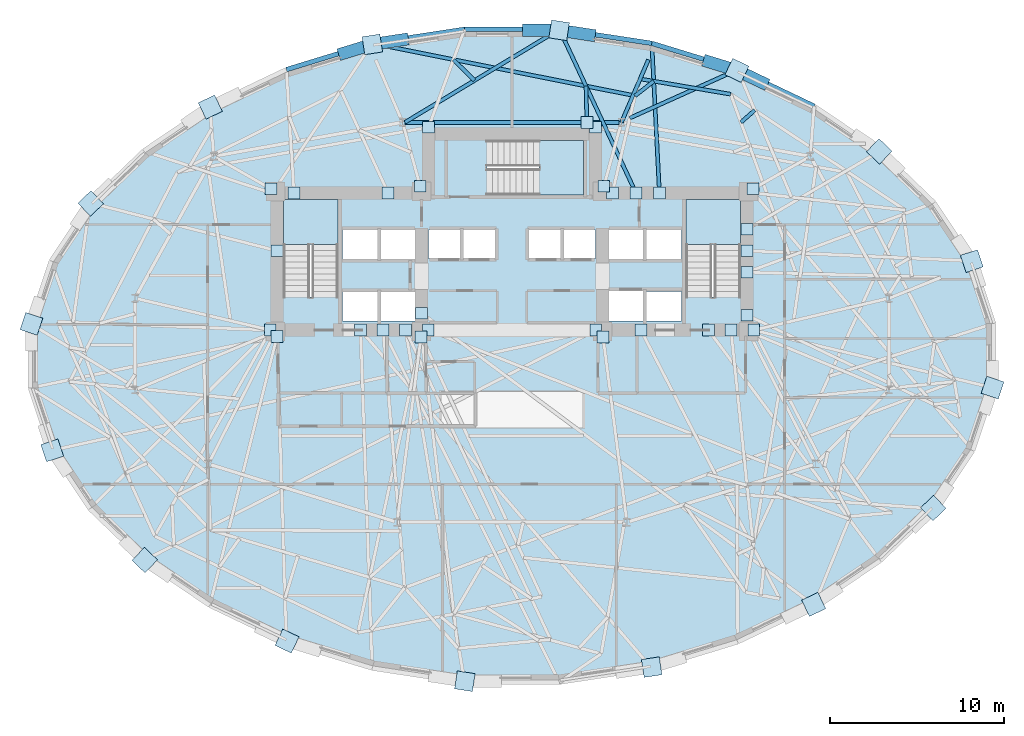
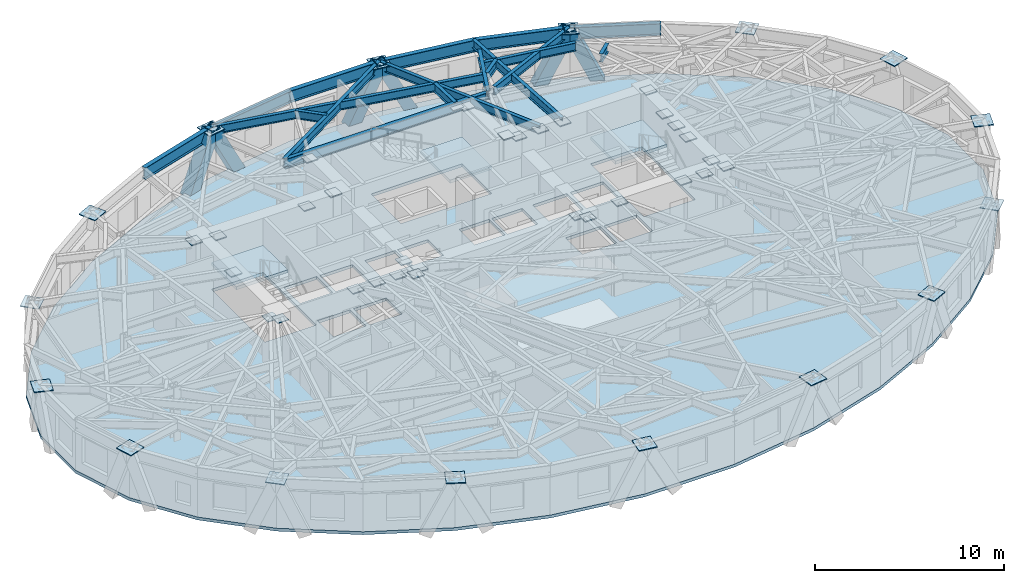
# One storey, part 5 of 14: 47 plates, 18 beams, 6 members, 4 slabs, 3 elements without a shape of their own.
"""IFC4 building model written with IfcOpenShell, lengths in metres."""

from ifc_helpers import new_model, si_unit, direction, frame, origin, origin_2d, place, context, subcontext, project, spatial, polyline, rectangle, hollow_rectangle, i_section, outline, extrude, material, layer, layer_set, material_profile, profile_set, type_object, element, aggregate, save


model = new_model("IFC4")

# Units and contexts
model_context = context("Model", 3, precision=1e-05, world=origin(), true_north=direction((0.0, 1.0)))
body_context = subcontext(model_context, "Body", "Model", "MODEL_VIEW")
ifc_project = project(units=[si_unit("LENGTHUNIT", "METRE"), si_unit("AREAUNIT", "SQUARE_METRE"), si_unit("VOLUMEUNIT", "CUBIC_METRE"), si_unit("PLANEANGLEUNIT", "RADIAN"), si_unit("MASSUNIT", "GRAM", prefix="KILO")], contexts=[model_context])

# Site, building, storey
site_placement = place(None, origin())
site = spatial("IfcSite", under=ifc_project, at=site_placement, CompositionType="ELEMENT")
building_placement = place(site_placement, origin())
building = spatial("IfcBuilding", under=site, at=building_placement, Name="Keldmark Tower", CompositionType="ELEMENT")
storey_placement = place(building_placement, frame((0.0, 0.0, 100.10009765625)))
storey = spatial("IfcBuildingStorey", under=building, at=storey_placement, Name="L26", CompositionType="ELEMENT", Elevation=100.10009765625)

# Members
ifc_material_1 = material(Name="Steel ASTM A572 Grade 50", Category="steel")
ifc_material_profile_1 = material_profile(ifc_material_1, hollow_rectangle(XDim=0.699951171875, YDim=0.699951171875, WallThickness=0.044921875, at=origin_2d()), Name="BOX700X700X45")
ifc_profile_set_1 = profile_set([ifc_material_profile_1], Name="Steel ASTM A572 Grade 50")
member_type = type_object("IfcMemberType", Name="Diagrid Zone 2 Brace BOX700X700X45", PredefinedType="BRACE", material=ifc_profile_set_1)
member_1_placement = place(storey_placement, frame((14.4150390625, 15.720458984375, -0.27001953125), z_axis=(-0.384014962148, 0.183387258279, 0.904931832984), x_axis=(-0.430935108563, -0.902382918836, 0.0)))
element("IfcMember", 1, at=member_1_placement, inside=storey, type_object=member_type, Name="L26 Perimeter Diagrid Brace 03A", PredefinedType="BRACE", context=body_context, shape_type="SweptSolid", body=[
    extrude(hollow_rectangle(XDim=0.699951171875, YDim=0.699951171875, WallThickness=0.044921875, at=origin_2d()), origin(), (0.0, 0.0, 1.0), 3.823486328125),
])
member_2_placement = place(storey_placement, frame((11.31005859375, 16.9189453125, -0.27001953125), z_axis=(0.426031471632, -0.13032368416, 0.89527254092), x_axis=(0.292521121678, 0.956259061851, 0.0)))
element("IfcMember", 2, at=member_2_placement, inside=storey, type_object=member_type, Name="L26 Perimeter Diagrid Brace 03B", PredefinedType="BRACE", context=body_context, shape_type="SweptSolid", body=[
    extrude(hollow_rectangle(XDim=0.699951171875, YDim=0.699951171875, WallThickness=0.044921875, at=origin_2d()), origin(), (0.0, 0.0, 1.0), 3.86474609375),
])
member_3_placement = place(storey_placement, frame((4.484375, 18.46142578125, -0.27001953125), z_axis=(-0.454742835075, 0.069170031679, 0.887932689265), x_axis=(-0.150378326098, -0.98862852429, 0.0)))
element("IfcMember", 3, at=member_3_placement, inside=storey, type_object=member_type, Name="L26 Perimeter Diagrid Brace 04A", PredefinedType="BRACE", context=body_context, shape_type="SweptSolid", body=[
    extrude(hollow_rectangle(XDim=0.699951171875, YDim=0.699951171875, WallThickness=0.044921875, at=origin_2d()), origin(), (0.0, 0.0, 1.0), 3.896728515625),
])
member_4_placement = place(storey_placement, frame((0.904052734375, 18.728759765625, -0.27001953125), z_axis=(0.465504471346, 0.0, 0.885045528296), x_axis=(0.0, 1.0, 0.0)))
element("IfcMember", 4, at=member_4_placement, inside=storey, type_object=member_type, Name="L26 Perimeter Diagrid Brace 04B", PredefinedType="BRACE", context=body_context, shape_type="SweptSolid", body=[
    extrude(hollow_rectangle(XDim=0.699951171875, YDim=0.699951171875, WallThickness=0.044921875, at=origin_2d()), origin(), (0.0, 0.0, 1.0), 3.909423828125),
])
member_5_placement = place(storey_placement, frame((-6.267822265625, 18.189453125, -0.27001953125), z_axis=(-0.454742835075, -0.069170031679, 0.887932689265), x_axis=(0.150378326098, -0.98862852429, 0.0)))
element("IfcMember", 5, at=member_5_placement, inside=storey, type_object=member_type, Name="L26 Perimeter Diagrid Brace 05A", PredefinedType="BRACE", context=body_context, shape_type="SweptSolid", body=[
    extrude(hollow_rectangle(XDim=0.699951171875, YDim=0.699951171875, WallThickness=0.044921875, at=origin_2d()), origin(), (0.0, 0.0, 1.0), 3.896728515625),
])
member_6_placement = place(storey_placement, frame((-9.674560546875, 17.41845703125, -0.27001953125), z_axis=(0.425979763501, 0.130327191473, 0.895296634781), x_axis=(-0.292560790284, 0.956246926264, 0.0)))
element("IfcMember", 6, at=member_6_placement, inside=storey, type_object=member_type, Name="L26 Perimeter Diagrid Brace 05B", PredefinedType="BRACE", context=body_context, shape_type="SweptSolid", body=[
    extrude(hollow_rectangle(XDim=0.699951171875, YDim=0.699951171875, WallThickness=0.044921875, at=origin_2d()), origin(), (0.0, 0.0, 1.0), 3.864501953125),
])

# Beams
ifc_material_2 = material(Name="Steel ASTM A992 Grade 50", Category="steel")
ifc_material_profile_2 = material_profile(ifc_material_2, i_section(OverallWidth=0.22900390625, OverallDepth=0.612060546875, WebThickness=0.011962890625, FlangeThickness=0.01953125, at=origin_2d()), Name="W24X84")
ifc_profile_set_2 = profile_set([ifc_material_profile_2], Name="Steel ASTM A992 Grade 50")
beam_type_1 = type_object("IfcBeamType", Name="Primary Floor Girder W24X84", PredefinedType="BEAM", material=ifc_profile_set_2)
beam_1_placement = place(storey_placement, frame((6.15869140625, 13.4326171875, 3.00390625), z_axis=(-1.0, 0.0, 0.0), x_axis=(0.0, -1.0, 0.0)))
element("IfcBeam", 7, at=beam_1_placement, inside=storey, type_object=beam_type_1, Name="L26 Floor Ring Girder FG-R03", PredefinedType="BEAM", context=body_context, shape_type="SweptSolid", body=[
    extrude(i_section(OverallWidth=0.22900390625, OverallDepth=0.612060546875, WebThickness=0.011962890625, FlangeThickness=0.01953125, at=origin_2d()), origin(), (0.0, 0.0, 1.0), 12.3173828125),
])
ifc_material_3 = material(Name="Steel ASTM A992 Grade 50", Category="steel")
ifc_material_profile_3 = material_profile(ifc_material_3, i_section(OverallWidth=0.2099609375, OverallDepth=0.537109375, WebThickness=0.010986328125, FlangeThickness=0.017333984375, at=origin_2d()), Name="W21X68")
ifc_profile_set_3 = profile_set([ifc_material_profile_3], Name="Steel ASTM A992 Grade 50")
beam_type_2 = type_object("IfcBeamType", Name="Radial Tie Girder W21X68", PredefinedType="BEAM", material=ifc_profile_set_3)
beam_2_placement = place(storey_placement, frame((13.173583984375, 13.430419921875, 3.04150390625), z_axis=(0.751151083443, 0.660130327922, 0.0), x_axis=(-0.660130327922, 0.751151083443, 0.0)))
element("IfcBeam", 8, at=beam_2_placement, inside=storey, type_object=beam_type_2, Name="L26 Framing Pin Header PH-018", PredefinedType="BEAM", context=body_context, shape_type="SweptSolid", body=[
    extrude(i_section(OverallWidth=0.2099609375, OverallDepth=0.537109375, WebThickness=0.010986328125, FlangeThickness=0.017333984375, at=origin_2d()), origin(), (0.0, 0.0, 1.0), 1.062255859375),
])
beam_3_placement = place(storey_placement, frame((12.98486328125, 16.468017578125, 3.04150390625), z_axis=(-0.912145742508, -0.409866007891, 0.0), x_axis=(0.409866007891, -0.912145742508, 0.0)))
element("IfcBeam", 9, at=beam_3_placement, inside=storey, type_object=beam_type_2, Name="L26 Framing Pin Header PH-019", PredefinedType="BEAM", context=body_context, shape_type="SweptSolid", body=[
    extrude(i_section(OverallWidth=0.2099609375, OverallDepth=0.537109375, WebThickness=0.010986328125, FlangeThickness=0.017333984375, at=origin_2d()), origin(), (0.0, 0.0, 1.0), 6.800048828125),
])
beam_4_placement = place(storey_placement, frame((12.581298828125, 15.053955078125, 3.04150390625), z_axis=(-0.986041156876, 0.166501762596, 0.0), x_axis=(-0.166501762596, -0.986041156876, 0.0)))
element("IfcBeam", 10, at=beam_4_placement, inside=storey, type_object=beam_type_2, Name="L26 Local Collector Chord RT-07C", PredefinedType="BEAM", context=body_context, shape_type="SweptSolid", body=[
    extrude(i_section(OverallWidth=0.2099609375, OverallDepth=0.537109375, WebThickness=0.010986328125, FlangeThickness=0.017333984375, at=origin_2d()), origin(), (0.0, 0.0, 1.0), 5.34619140625),
])
beam_5_placement = place(storey_placement, frame((7.080078125, 14.958740234375, 3.04150390625), z_axis=(0.787685842988, 0.616077115917, 0.0), x_axis=(-0.616077115917, 0.787685842988, 0.0)))
element("IfcBeam", 11, at=beam_5_placement, inside=storey, type_object=beam_type_2, Name="L26 Framing Pin Header PH-020", PredefinedType="BEAM", context=body_context, shape_type="SweptSolid", body=[
    extrude(i_section(OverallWidth=0.2099609375, OverallDepth=0.537109375, WebThickness=0.010986328125, FlangeThickness=0.017333984375, at=origin_2d()), origin(), (0.0, 0.0, 1.0), 1.3671875),
])
beam_6_placement = place(storey_placement, frame((8.485595703125, 9.375, 3.04150390625), z_axis=(-0.051062569851, 0.998695456063, 0.0), x_axis=(-0.998695456063, -0.051062569851, 0.0)))
element("IfcBeam", 12, at=beam_6_placement, inside=storey, type_object=beam_type_2, Name="L26 Perimeter Radial Tie Girder RT-07", PredefinedType="BEAM", context=body_context, shape_type="SweptSolid", body=[
    extrude(i_section(OverallWidth=0.2099609375, OverallDepth=0.537109375, WebThickness=0.010986328125, FlangeThickness=0.017333984375, at=origin_2d()), origin(), (0.0, 0.0, 1.0), 8.61572265625),
])
beam_7_placement = place(storey_placement, frame((6.298828125, 13.4326171875, 3.04150390625), z_axis=(0.395437186935, 0.918493021851, 0.0), x_axis=(-0.918493021851, 0.395437186935, 0.0)))
element("IfcBeam", 13, at=beam_7_placement, inside=storey, type_object=beam_type_2, Name="L26 North Column Cantilever Girder East FG-TCN-E", PredefinedType="BEAM", context=body_context, shape_type="SweptSolid", body=[
    extrude(i_section(OverallWidth=0.2099609375, OverallDepth=0.537109375, WebThickness=0.010986328125, FlangeThickness=0.017333984375, at=origin_2d()), origin(), (0.0, 0.0, 1.0), 3.919921875),
])
beam_8_placement = place(storey_placement, frame((7.080078125, 14.958740234375, 3.04150390625), z_axis=(-0.980635427307, 0.195842178066, 0.0), x_axis=(-0.195842178066, -0.980635427307, 0.0)))
element("IfcBeam", 14, at=beam_8_placement, inside=storey, type_object=beam_type_2, Name="L26 Straddling Support Chord RT-08RB", PredefinedType="BEAM", context=body_context, shape_type="SweptSolid", body=[
    extrude(i_section(OverallWidth=0.2099609375, OverallDepth=0.537109375, WebThickness=0.010986328125, FlangeThickness=0.017333984375, at=origin_2d()), origin(), (0.0, 0.0, 1.0), 15.42431640625),
])
beam_9_placement = place(storey_placement, frame((4.311279296875, 13.4326171875, 3.04150390625), z_axis=(-0.025922835673, 0.999663946829, 0.0), x_axis=(-0.999663946829, -0.025922835673, 0.0)))
element("IfcBeam", 15, at=beam_9_placement, inside=storey, type_object=beam_type_2, Name="L26 Framing Pin Header PH-048", PredefinedType="BEAM", context=body_context, shape_type="SweptSolid", body=[
    extrude(i_section(OverallWidth=0.2099609375, OverallDepth=0.537109375, WebThickness=0.010986328125, FlangeThickness=0.017333984375, at=origin_2d()), origin(), (0.0, 0.0, 1.0), 2.0908203125),
])
beam_10_placement = place(storey_placement, frame((7.132080078125, 9.375, 3.04150390625), z_axis=(-0.423632565265, 0.905834118174, 0.0), x_axis=(-0.905834118174, -0.423632565265, 0.0)))
element("IfcBeam", 16, at=beam_10_placement, inside=storey, type_object=beam_type_2, Name="L26 Perimeter Radial Tie Girder RT-08R", PredefinedType="BEAM", context=body_context, shape_type="SweptSolid", body=[
    extrude(i_section(OverallWidth=0.2099609375, OverallDepth=0.537109375, WebThickness=0.010986328125, FlangeThickness=0.017333984375, at=origin_2d()), origin(), (0.0, 0.0, 1.0), 10.391845703125),
])
beam_11_placement = place(storey_placement, frame((2.729736328125, 18.788330078125, 3.04150390625), z_axis=(-0.856528221623, -0.516100189462, 0.0), x_axis=(0.516100189462, -0.856528221623, 0.0)))
element("IfcBeam", 17, at=beam_11_placement, inside=storey, type_object=beam_type_2, Name="L26 Straddling Support Chord RT-09RB", PredefinedType="BEAM", context=body_context, shape_type="SweptSolid", body=[
    extrude(i_section(OverallWidth=0.2099609375, OverallDepth=0.537109375, WebThickness=0.010986328125, FlangeThickness=0.017333984375, at=origin_2d()), origin(), (0.0, 0.0, 1.0), 10.377197265625),
])
beam_12_placement = place(storey_placement, frame((-2.158935546875, 15.8427734375, 3.04150390625), z_axis=(-0.709391899272, 0.704814254429, 0.0), x_axis=(-0.704814254429, -0.709391899272, 0.0)))
element("IfcBeam", 18, at=beam_12_placement, inside=storey, type_object=beam_type_2, Name="L26 Framing Pin Header PH-049", PredefinedType="BEAM", context=body_context, shape_type="SweptSolid", body=[
    extrude(i_section(OverallWidth=0.2099609375, OverallDepth=0.537109375, WebThickness=0.010986328125, FlangeThickness=0.017333984375, at=origin_2d()), origin(), (0.0, 0.0, 1.0), 1.70654296875),
])
ifc_material_4 = material(Name="Steel ASTM A992 Grade 50", Category="steel")
ifc_material_profile_4 = material_profile(ifc_material_4, i_section(OverallWidth=0.26806640625, OverallDepth=0.77001953125, WebThickness=0.015625, FlangeThickness=0.025390625, at=origin_2d()), Name="W30X132")
ifc_profile_set_4 = profile_set([ifc_material_profile_4], Name="Steel ASTM A992 Grade 50")
beam_type_3 = type_object("IfcBeamType", Name="Spandrel Ring Beam W30X132", PredefinedType="SPANDREL", material=ifc_profile_set_4)
beam_13_placement = place(storey_placement, frame((17.389892578125, 14.3642578125, 2.9248046875), z_axis=(-0.902372757907, 0.430956385018, 0.0), x_axis=(-0.430956385018, -0.902372757907, 0.0)))
element("IfcBeam", 19, at=beam_13_placement, inside=storey, type_object=beam_type_3, Name="L26 Perimeter Spandrel Ring Beam SRB-05", PredefinedType="SPANDREL", context=body_context, shape_type="SweptSolid", body=[
    extrude(i_section(OverallWidth=0.26806640625, OverallDepth=0.77001953125, WebThickness=0.015625, FlangeThickness=0.025390625, at=origin_2d()), origin(), (0.0, 0.0, 1.0), 4.881591796875),
])
beam_14_placement = place(storey_placement, frame((12.98486328125, 16.468017578125, 2.9248046875), z_axis=(-0.956228569431, 0.292620783617, 0.0), x_axis=(-0.292620783617, -0.956228569431, 0.0)))
element("IfcBeam", 20, at=beam_14_placement, inside=storey, type_object=beam_type_3, Name="L26 Perimeter Spandrel Ring Beam SRB-06", PredefinedType="SPANDREL", context=body_context, shape_type="SweptSolid", body=[
    extrude(i_section(OverallWidth=0.26806640625, OverallDepth=0.77001953125, WebThickness=0.015625, FlangeThickness=0.025390625, at=origin_2d()), origin(), (0.0, 0.0, 1.0), 5.165283203125),
])
beam_15_placement = place(storey_placement, frame((8.045654296875, 17.9794921875, 2.9248046875), z_axis=(-0.988621773192, 0.150422702975, 0.0), x_axis=(-0.150422702975, -0.988621773192, 0.0)))
element("IfcBeam", 21, at=beam_15_placement, inside=storey, type_object=beam_type_3, Name="L26 Perimeter Spandrel Ring Beam SRB-07", PredefinedType="SPANDREL", context=body_context, shape_type="SweptSolid", body=[
    extrude(i_section(OverallWidth=0.26806640625, OverallDepth=0.77001953125, WebThickness=0.015625, FlangeThickness=0.025390625, at=origin_2d()), origin(), (0.0, 0.0, 1.0), 5.377197265625),
])
beam_16_placement = place(storey_placement, frame((2.729736328125, 18.788330078125, 2.9248046875), z_axis=(-1.0, 0.0, 0.0), x_axis=(0.0, -1.0, 0.0)))
element("IfcBeam", 22, at=beam_16_placement, inside=storey, type_object=beam_type_3, Name="L26 Perimeter Spandrel Ring Beam SRB-08", PredefinedType="SPANDREL", context=body_context, shape_type="SweptSolid", body=[
    extrude(i_section(OverallWidth=0.26806640625, OverallDepth=0.77001953125, WebThickness=0.015625, FlangeThickness=0.025390625, at=origin_2d()), origin(), (0.0, 0.0, 1.0), 5.45947265625),
])
beam_17_placement = place(storey_placement, frame((-2.729736328125, 18.788330078125, 2.9248046875), z_axis=(-0.988621773192, -0.150422702975, 0.0), x_axis=(0.150422702975, -0.988621773192, 0.0)))
element("IfcBeam", 23, at=beam_17_placement, inside=storey, type_object=beam_type_3, Name="L26 Perimeter Spandrel Ring Beam SRB-09", PredefinedType="SPANDREL", context=body_context, shape_type="SweptSolid", body=[
    extrude(i_section(OverallWidth=0.26806640625, OverallDepth=0.77001953125, WebThickness=0.015625, FlangeThickness=0.025390625, at=origin_2d()), origin(), (0.0, 0.0, 1.0), 5.377197265625),
])
beam_18_placement = place(storey_placement, frame((-8.045654296875, 17.9794921875, 2.9248046875), z_axis=(-0.956228569431, -0.292620783617, 0.0), x_axis=(0.292620783617, -0.956228569431, 0.0)))
element("IfcBeam", 24, at=beam_18_placement, inside=storey, type_object=beam_type_3, Name="L26 Perimeter Spandrel Ring Beam SRB-10", PredefinedType="SPANDREL", context=body_context, shape_type="SweptSolid", body=[
    extrude(i_section(OverallWidth=0.26806640625, OverallDepth=0.77001953125, WebThickness=0.015625, FlangeThickness=0.025390625, at=origin_2d()), origin(), (0.0, 0.0, 1.0), 5.165283203125),
])

# Plates
ifc_material_5 = material(Name="Steel ASTM A572 Grade 50", Category="steel")
ifc_layer_1 = layer(ifc_material_5, 0.06005859375)
ifc_layer_set_1 = layer_set([ifc_layer_1], Name="Steel ASTM A572 Grade 50")
plate_type_1 = type_object("IfcPlateType", Name="Belt Truss Kink Node Assembly KN01 60 mm", PredefinedType="USERDEFINED", material=ifc_layer_set_1)
for number, where, z_axis, x_axis, name in (
    (25, (13.91162109375, 1.473388671875, 3.01416015625), (0.0, 0.0, 1.0), (1.0, 0.0, 0.0), "L26 Core Wall Cast-In Embed Plate 715"),
    (26, (13.878173828125, 9.608154296875, 3.01416015625), (0.0, 0.0, 1.0), (1.0, 0.0, 0.0), "L26 Core Wall Cast-In Embed Plate 716"),
    (27, (5.28515625, 9.758544921875, 3.01416015625), (0.0, 0.0, 1.0), (1.0, 0.0, 0.0), "L26 Core Wall Cast-In Embed Plate 717"),
    (28, (-5.28515625, 9.758544921875, 3.01416015625), (0.0, 0.0, 1.0), (1.0, 0.0, 0.0), "L26 Core Wall Cast-In Embed Plate 718"),
    (29, (-13.878173828125, 9.608154296875, 3.01416015625), (0.0, 0.0, 1.0), (1.0, 0.0, 0.0), "L26 Core Wall Cast-In Embed Plate 719"),
    (30, (-13.91162109375, 1.473388671875, 3.01416015625), (0.0, 0.0, 1.0), (1.0, 0.0, 0.0), "L26 Core Wall Cast-In Embed Plate 720"),
    (31, (-5.24072265625, 1.08251953125, 3.01416015625), (0.0, 0.0, 1.0), (1.0, 0.0, 0.0), "L26 Core Wall Cast-In Embed Plate 721"),
    (32, (5.24072265625, 1.08251953125, 3.01416015625), (0.0, 0.0, 1.0), (1.0, 0.0, 0.0), "L26 Core Wall Cast-In Embed Plate 722"),
    (33, (4.800048828125, 13.14990234375, 3.01416015625), (0.0, 0.0, 1.0), (1.0, 0.0, 0.0), "L26 Core Wall Cast-In Embed Plate 723"),
    (34, (-7.132080078125, 9.375, 3.01416015625), (0.0, 0.0, 1.0), (1.0, 0.0, 0.0), "L26 Core Wall Cast-In Embed Plate 724"),
    (35, (-4.800048828125, 13.14990234375, 3.01416015625), (0.0, 0.0, 1.0), (1.0, 0.0, 0.0), "L26 Core Wall Cast-In Embed Plate 725"),
    (36, (-7.41796875, 1.47509765625, 3.01416015625), (0.0, 0.0, 1.0), (1.0, 0.0, 0.0), "L26 Core Wall Cast-In Embed Plate 726"),
    (37, (12.603515625, 1.47509765625, 3.01416015625), (0.0, 0.0, 1.0), (1.0, 0.0, 0.0), "L26 Core Wall Cast-In Embed Plate 727"),
    (38, (13.52490234375, 4.80712890625, 3.01416015625), (0.0, 0.0, 1.0), (1.0, 0.0, 0.0), "L26 Core Wall Cast-In Embed Plate 728"),
    (39, (13.52490234375, 7.278564453125, 3.01416015625), (0.0, 0.0, 1.0), (1.0, 0.0, 0.0), "L26 Core Wall Cast-In Embed Plate 729"),
    (40, (5.778564453125, 9.375, 3.01416015625), (0.0, 0.0, 1.0), (1.0, 0.0, 0.0), "L26 Core Wall Cast-In Embed Plate 730"),
    (41, (8.485595703125, 9.375, 3.01416015625), (0.0, 0.0, 1.0), (1.0, 0.0, 0.0), "L26 Core Wall Cast-In Embed Plate 731"),
    (42, (-12.54638671875, 9.375, 3.01416015625), (0.0, 0.0, 1.0), (1.0, 0.0, 0.0), "L26 Core Wall Cast-In Embed Plate 732"),
    (43, (-13.52490234375, 6.04296875, 3.01416015625), (0.0, 0.0, 1.0), (1.0, 0.0, 0.0), "L26 Core Wall Cast-In Embed Plate 733"),
    (44, (-13.52490234375, 1.10009765625, 3.01416015625), (0.0, 0.0, 1.0), (1.0, 0.0, 0.0), "L26 Core Wall Cast-In Embed Plate 734"),
    (45, (4.824951171875, 1.47509765625, 3.01416015625), (0.0, 0.0, 1.0), (1.0, 0.0, 0.0), "L26 Core Wall Cast-In Embed Plate 735"),
    (46, (-8.71435546875, 1.47509765625, 3.01416015625), (0.0, 0.0, 1.0), (1.0, 0.0, 0.0), "L26 Core Wall Cast-In Embed Plate 736"),
    (47, (-6.121337890625, 1.47509765625, 3.01416015625), (0.0, 0.0, 1.0), (1.0, 0.0, 0.0), "L26 Core Wall Cast-In Embed Plate 737"),
    (48, (7.41796875, 1.47509765625, 3.01416015625), (0.0, 0.0, 1.0), (1.0, 0.0, 0.0), "L26 Core Wall Cast-In Embed Plate 738"),
    (49, (-5.199951171875, 2.449951171875, 3.01416015625), (0.0, 0.0, 1.0), (1.0, 0.0, 0.0), "L26 Core Wall Cast-In Embed Plate 739"),
    (50, (11.30712890625, 1.47509765625, 3.01416015625), (0.0, 0.0, 1.0), (1.0, 0.0, 0.0), "L26 Core Wall Cast-In Embed Plate 740"),
    (51, (-4.824951171875, 1.47509765625, 3.01416015625), (0.0, 0.0, 1.0), (1.0, 0.0, 0.0), "L26 Core Wall Cast-In Embed Plate 741"),
    (52, (13.52490234375, 2.335693359375, 3.01416015625), (0.0, 0.0, 1.0), (1.0, 0.0, 0.0), "L26 Core Wall Cast-In Embed Plate 742"),
    (53, (13.52490234375, 6.04296875, 3.01416015625), (0.0, 0.0, 1.0), (1.0, 0.0, 0.0), "L26 Core Wall Cast-In Embed Plate 743"),
    (54, (4.311279296875, 13.4326171875, 3.01416015625), (0.0, 0.0, 1.0), (1.0, 0.0, 0.0), "L26 Core Wall Cast-In Embed Plate 744"),
    (55, (7.132080078125, 9.375, 3.01416015625), (0.0, 0.0, 1.0), (1.0, 0.0, 0.0), "L26 Core Wall Cast-In Embed Plate 745"),
):
    element("IfcPlate", number, at=place(storey_placement, frame(where, z_axis=z_axis, x_axis=x_axis)), inside=storey, type_object=plate_type_1, Name=name, ObjectType="CAP PLATE", PredefinedType="USERDEFINED", context=body_context, shape_type="SweptSolid", body=[
        extrude(rectangle(XDim=0.679931640625, YDim=0.679931640625, at=origin_2d()), origin(), (0.0, 0.0, 1.0), 0.054931640625),
    ])
ifc_material_6 = material(Name="Steel ASTM A572 Grade 50", Category="steel")
ifc_layer_2 = layer(ifc_material_6, 0.054931640625)
ifc_layer_set_2 = layer_set([ifc_layer_2], Name="Steel ASTM A572 Grade 50")
plate_type_2 = type_object("IfcPlateType", Name="Diagrid Node Assembly DN03 55 mm", PredefinedType="USERDEFINED", material=ifc_layer_set_2)
for number, where, z_axis, x_axis, name in (
    (56, (26.462890625, 5.4482421875, 3.16259765625), (0.0, 0.0, 1.0), (-0.314323848843, 0.949315815758, 0.0), "L26 Diagrid Node Assembly 01"),
    (57, (21.13671875, 11.76025390625, 3.16259765625), (0.0, 0.0, 1.0), (-0.72055111168, 0.693401828276, 0.0), "L26 Diagrid Node Assembly 03"),
    (58, (12.94677734375, 16.421630859375, 3.16259765625), (0.0, 0.0, 1.0), (-0.902359745553, 0.430983630323, 0.0), "L26 Diagrid Node Assembly 05"),
    (59, (2.71240234375, 18.73095703125, 3.16259765625), (0.0, 0.0, 1.0), (-0.988625510369, 0.150398139113, 0.0), "L26 Diagrid Node Assembly 07"),
    (60, (-8.039794921875, 17.919921875, 3.16259765625), (0.0, 0.0, 1.0), (-0.988625510369, -0.150398139113, 0.0), "L26 Diagrid Node Assembly 09"),
    (61, (-17.361572265625, 14.311279296875, 3.16259765625), (0.0, 0.0, 1.0), (-0.902359745553, -0.430983630323, 0.0), "L26 Diagrid Node Assembly 11"),
    (62, (-24.24658203125, 8.764404296875, 3.16259765625), (0.0, 0.0, 1.0), (-0.72055111168, -0.693401828276, 0.0), "L26 Diagrid Node Assembly 13"),
    (63, (-27.658203125, 1.8330078125, 3.16259765625), (0.0, 0.0, 1.0), (-0.314323848843, -0.949315815758, 0.0), "L26 Diagrid Node Assembly 15"),
    (64, (-26.462890625, -5.4482421875, 3.16259765625), (0.0, 0.0, 1.0), (0.314323848843, -0.949315815758, 0.0), "L26 Diagrid Node Assembly 17"),
    (65, (-21.13671875, -11.76025390625, 3.16259765625), (0.0, 0.0, 1.0), (0.72055111168, -0.693401828276, 0.0), "L26 Diagrid Node Assembly 19"),
    (66, (-12.94677734375, -16.421630859375, 3.16259765625), (0.0, 0.0, 1.0), (0.902359745553, -0.430983630323, 0.0), "L26 Diagrid Node Assembly 21"),
    (67, (-2.71240234375, -18.73095703125, 3.16259765625), (0.0, 0.0, 1.0), (0.988625510369, -0.150398139113, 0.0), "L26 Diagrid Node Assembly 23"),
    (68, (8.039794921875, -17.919921875, 3.16259765625), (0.0, 0.0, 1.0), (0.988625510369, 0.150398139113, 0.0), "L26 Diagrid Node Assembly 25"),
    (69, (17.361572265625, -14.311279296875, 3.16259765625), (0.0, 0.0, 1.0), (0.902359745553, 0.430983630323, 0.0), "L26 Diagrid Node Assembly 27"),
    (70, (24.24658203125, -8.764404296875, 3.16259765625), (0.0, 0.0, 1.0), (0.72055111168, 0.693401828276, 0.0), "L26 Diagrid Node Assembly 29"),
    (71, (27.658203125, -1.8330078125, 3.16259765625), (0.0, 0.0, 1.0), (0.314323848843, 0.949315815758, 0.0), "L26 Diagrid Node Assembly 31"),
):
    element("IfcPlate", number, at=place(storey_placement, frame(where, z_axis=z_axis, x_axis=x_axis)), inside=storey, type_object=plate_type_2, Name=name, ObjectType="GUSSET", PredefinedType="USERDEFINED", context=body_context, shape_type="SweptSolid", body=[
        extrude(rectangle(XDim=1.0400390625, YDim=1.0400390625, at=origin_2d()), origin(), (0.0, 0.0, 1.0), 0.054931640625),
    ])

# Slab
ifc_material_7 = material(Name="Concrete C35/45", Category="concrete")
ifc_layer_3 = layer(ifc_material_7, 0.18994140625)
ifc_layer_set_3 = layer_set([ifc_layer_3], Name="Concrete C35/45")
slab_type_1 = type_object("IfcSlabType", Name="Mid-Rise Office Composite Slab 190 mm", PredefinedType="FLOOR", material=ifc_layer_set_3)
slab_1_placement = place(storey_placement, frame((0.0, 0.0, -0.190185546875)))
element("IfcSlab", 72, at=slab_1_placement, inside=storey, type_object=slab_type_1, Name="L26 Composite Structural Floor Slab", PredefinedType="FLOOR", context=body_context, shape_type="SweptSolid", body=[
    extrude(outline(polyline([(27.7158203125, 1.8505859375), (26.522705078125, 5.4541015625), (24.29296875, 8.802490234375), (21.189697265625, 11.78857421875), (17.389892578125, 14.3642578125), (12.98486328125, 16.468017578125), (8.045654296875, 17.9794921875), (2.729736328125, 18.788330078125), (-2.729736328125, 18.788330078125), (-8.045654296875, 17.9794921875), (-12.98486328125, 16.468017578125), (-17.389892578125, 14.3642578125), (-21.189697265625, 11.78857421875), (-24.29296875, 8.802490234375), (-26.522705078125, 5.4541015625), (-27.7158203125, 1.8505859375), (-27.7158203125, -1.8505859375), (-26.522705078125, -5.4541015625), (-24.29296875, -8.802490234375), (-21.189697265625, -11.78857421875), (-17.389892578125, -14.3642578125), (-12.98486328125, -16.468017578125), (-8.045654296875, -17.9794921875), (-2.729736328125, -18.788330078125), (2.729736328125, -18.788330078125), (8.045654296875, -17.9794921875), (12.98486328125, -16.468017578125), (17.389892578125, -14.3642578125), (21.189697265625, -11.78857421875), (24.29296875, -8.802490234375), (26.522705078125, -5.4541015625), (27.7158203125, -1.8505859375), (27.7158203125, 1.8505859375)]), holes=[polyline([(-10.0, 3.385009765625), (-10.0, 9.0), (-13.14990234375, 9.0), (-13.14990234375, 3.385009765625), (-10.0, 3.385009765625)]), polyline([(13.14990234375, 3.385009765625), (13.14990234375, 9.0), (10.0, 9.0), (10.0, 3.385009765625), (13.14990234375, 3.385009765625)]), polyline([(-1.43994140625, 9.25), (4.10498046875, 9.25), (4.10498046875, 12.39990234375), (-1.43994140625, 12.39990234375), (-1.43994140625, 9.25)]), polyline([(-9.75, 2.0), (-7.75, 2.0), (-7.75, 3.699951171875), (-9.75, 3.699951171875), (-9.75, 2.0)]), polyline([(7.75, 2.0), (9.75, 2.0), (9.75, 3.699951171875), (7.75, 3.699951171875), (7.75, 2.0)]), polyline([(5.449951171875, 2.0), (7.550048828125, 2.0), (7.550048828125, 3.75), (5.449951171875, 3.75), (5.449951171875, 2.0)]), polyline([(-4.800048828125, 5.60009765625), (-2.949951171875, 5.60009765625), (-2.949951171875, 7.25), (-4.800048828125, 7.25), (-4.800048828125, 5.60009765625)]), polyline([(-2.800048828125, 5.60009765625), (-0.949951171875, 5.60009765625), (-0.949951171875, 7.25), (-2.800048828125, 7.25), (-2.800048828125, 5.60009765625)]), polyline([(0.949951171875, 5.60009765625), (2.800048828125, 5.60009765625), (2.800048828125, 7.25), (0.949951171875, 7.25), (0.949951171875, 5.60009765625)]), polyline([(2.949951171875, 5.60009765625), (4.800048828125, 5.60009765625), (4.800048828125, 7.25), (2.949951171875, 7.25), (2.949951171875, 5.60009765625)]), polyline([(-9.75, 5.550048828125), (-7.75, 5.550048828125), (-7.75, 7.25), (-9.75, 7.25), (-9.75, 5.550048828125)]), polyline([(-7.550048828125, 5.550048828125), (-5.550048828125, 5.550048828125), (-5.550048828125, 7.25), (-7.550048828125, 7.25), (-7.550048828125, 5.550048828125)]), polyline([(-7.550048828125, 2.0), (-5.550048828125, 2.0), (-5.550048828125, 3.699951171875), (-7.550048828125, 3.699951171875), (-7.550048828125, 2.0)]), polyline([(5.449951171875, 5.550048828125), (7.550048828125, 5.550048828125), (7.550048828125, 7.25), (5.449951171875, 7.25), (5.449951171875, 5.550048828125)]), polyline([(7.75, 5.550048828125), (9.75, 5.550048828125), (9.75, 7.25), (7.75, 7.25), (7.75, 5.550048828125)])]), origin(), (0.0, 0.0, 1.0), 0.190185546875),
])

# Stair, slab
ifc_material_8 = material(Name="Concrete C40/50", Category="concrete")
stair_type = type_object("IfcStairType", Name="Precast Concrete Core Exit Stair", PredefinedType="HALF_TURN_STAIR", material=ifc_material_8)
stair_1_placement = place(storey_placement, origin())
stair_1 = element("IfcStair", 73, at=stair_1_placement, inside=storey, type_object=stair_type, Name="L26 Exit Stair ST1", PredefinedType="HALF_TURN_STAIR")
ifc_material_9 = material(Name="Concrete C40/50", Category="concrete")
ifc_layer_4 = layer(ifc_material_9, 0.199951171875)
ifc_layer_set_4 = layer_set([ifc_layer_4], Name="Concrete C40/50")
slab_type_2 = type_object("IfcSlabType", Name="Reinforced Concrete Stair Landing 200 mm", PredefinedType="LANDING", material=ifc_layer_set_4)
slab_2_placement = place(storey_placement, frame((0.0, 0.0, 1.5498046875)))
slab_2 = element("IfcSlab", 74, at=slab_2_placement, type_object=slab_type_2, Name="ST1 landing 1", PredefinedType="LANDING", context=body_context, shape_type="SweptSolid", body=[
    extrude(outline(polyline([(-10.0, 6.389892578125), (-10.0, 9.0), (-13.14990234375, 9.0), (-13.14990234375, 6.389892578125), (-10.0, 6.389892578125)])), origin(), (0.0, 0.0, 1.0), 0.2001953125),
])
aggregate(stair_1, [slab_2])

stair_2_placement = place(storey_placement, origin())
stair_2 = element("IfcStair", 75, at=stair_2_placement, inside=storey, type_object=stair_type, Name="L26 Exit Stair ST2", PredefinedType="HALF_TURN_STAIR")
slab_3_placement = place(storey_placement, frame((0.0, 0.0, 1.5498046875)))
slab_3 = element("IfcSlab", 76, at=slab_3_placement, type_object=slab_type_2, Name="ST2 landing 1", PredefinedType="LANDING", context=body_context, shape_type="SweptSolid", body=[
    extrude(outline(polyline([(13.14990234375, 6.389892578125), (13.14990234375, 9.0), (10.0, 9.0), (10.0, 6.389892578125), (13.14990234375, 6.389892578125)])), origin(), (0.0, 0.0, 1.0), 0.2001953125),
])
aggregate(stair_2, [slab_3])

stair_3_placement = place(storey_placement, origin())
stair_3 = element("IfcStair", 77, at=stair_3_placement, inside=storey, type_object=stair_type, Name="L26 Exit Stair ST3", PredefinedType="HALF_TURN_STAIR")
slab_4_placement = place(storey_placement, frame((0.0, 0.0, 1.5498046875)))
slab_4 = element("IfcSlab", 78, at=slab_4_placement, type_object=slab_type_2, Name="ST3 landing 1", PredefinedType="LANDING", context=body_context, shape_type="SweptSolid", body=[
    extrude(outline(polyline([(1.56494140625, 9.25), (4.10498046875, 9.25), (4.10498046875, 12.39990234375), (1.56494140625, 12.39990234375), (1.56494140625, 9.25)])), origin(), (0.0, 0.0, 1.0), 0.2001953125),
])
aggregate(stair_3, [slab_4])

save(model, "model.ifc")
